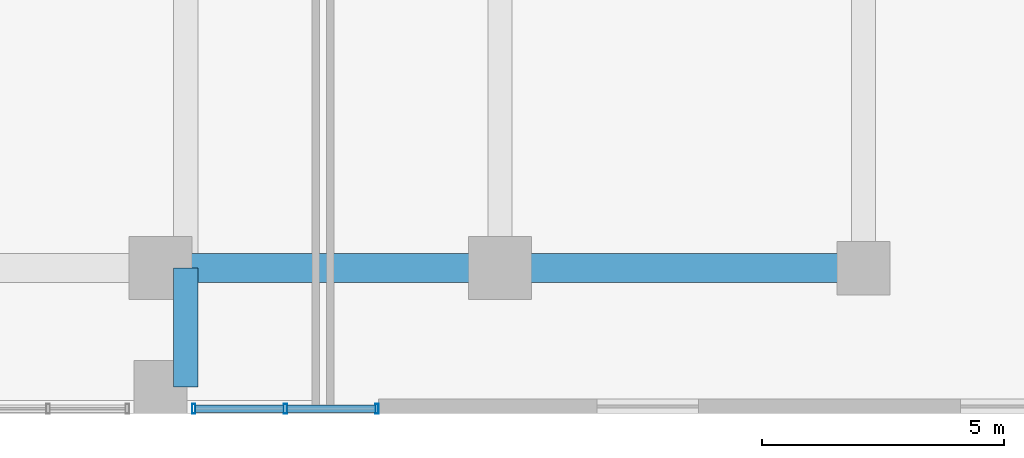
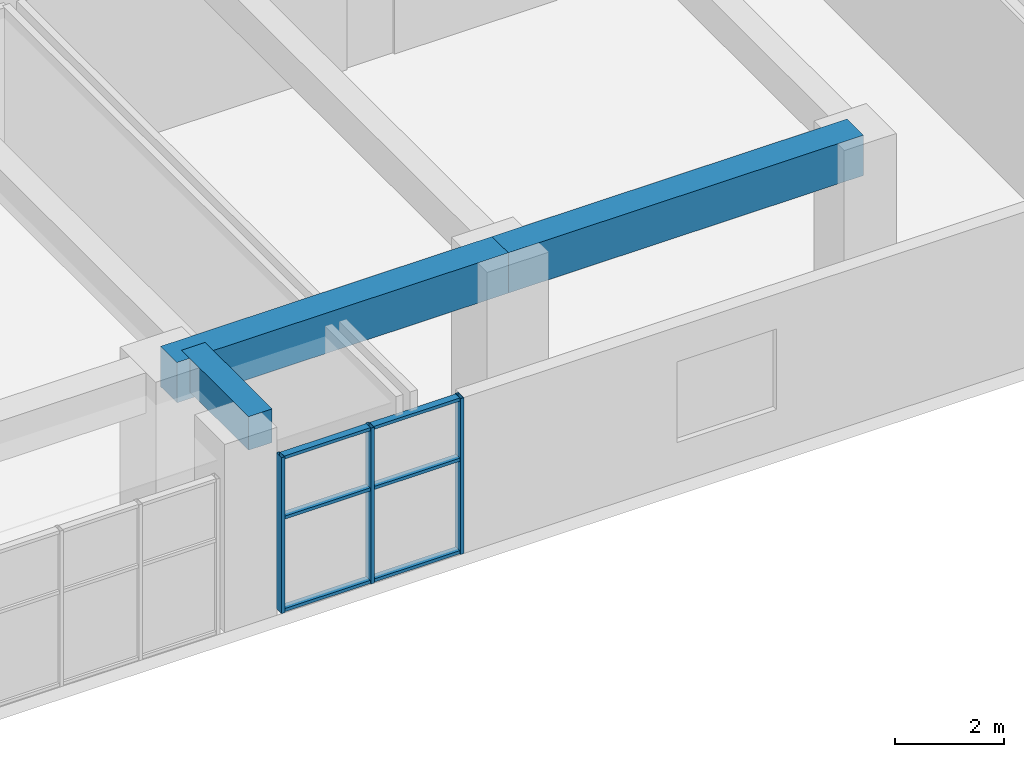
# One storey, part 6 of 24: 9 members, 3 beams, 1 element without a shape of its own.
"""IFC4 building model written with IfcOpenShell, lengths in metres."""

import ifcopenshell
import ifcopenshell.guid

model = None  # the IFC model being written
_history = None  # IfcOwnerHistory: only IFC2X3 demands one
_inside = {}  # id of a spatial element -> (the spatial element, [elements in it])
_under = {}  # id of a project, library or spatial element -> (it, [spatial elements below it])
_declared = {}  # id of a project -> (the project, [libraries it declares])
_typed = {}  # id of a type object -> (the type object, [elements of that type])
_made_of = {}  # id of a material, layer set ... -> (it, [elements and type objects made of it])


def new_model(schema):
    """Start an empty IFC model of exactly this schema.

    Asked for "IFC4X3", IfcOpenShell would pick the latest addendum, in which some entities
    have other attributes; the version numbers below select the first issue.
    IFC2X3 requires an IfcOwnerHistory on every rooted entity: one is made here for all.
    """
    global model, _history
    if schema == "IFC4X3":
        model = ifcopenshell.file(schema_version=(4, 3, 0, 0))
    else:
        model = ifcopenshell.file(schema=schema)
    _inside.clear()
    _under.clear()
    _declared.clear()
    _typed.clear()
    _made_of.clear()
    _history = None
    if model.schema == "IFC2X3":
        org = make("IfcOrganization", Name="unknown")
        user = make(
            "IfcPersonAndOrganization",
            ThePerson=make("IfcPerson", FamilyName="unknown"),
            TheOrganization=org,
        )
        app = make(
            "IfcApplication",
            ApplicationDeveloper=org,
            Version="unknown",
            ApplicationFullName="unknown",
            ApplicationIdentifier="unknown",
        )
        _history = make(
            "IfcOwnerHistory",
            OwningUser=user,
            OwningApplication=app,
            ChangeAction="ADDED",
            CreationDate=0,
        )
    return model


def make(cls, **values):
    """One entity of the class cls with the attributes given. An attribute that is None is left unset."""
    return model.create_entity(
        cls, **{name: value for name, value in values.items() if value is not None}
    )


def rooted(cls, **values):
    """An entity with a GlobalId (a new one), such as an element, a storey or a relation."""
    return make(cls, GlobalId=ifcopenshell.guid.new(), OwnerHistory=_history, **values)


def si_unit(unit_type, name, prefix=None):
    """IfcSIUnit, for example si_unit("LENGTHUNIT", "METRE", prefix="MILLI")."""
    return make("IfcSIUnit", UnitType=unit_type, Prefix=prefix, Name=name)


def assignment(units):
    """IfcUnitAssignment: the units of a project."""
    return None if units is None else make("IfcUnitAssignment", Units=units)


def point(xyz):
    """IfcCartesianPoint."""
    return None if xyz is None else make("IfcCartesianPoint", Coordinates=xyz)


def direction(xyz):
    """IfcDirection."""
    return None if xyz is None else make("IfcDirection", DirectionRatios=xyz)


def frame(location, z_axis=None, x_axis=None):
    """IfcAxis2Placement3D, a coordinate frame: its origin and axes. An axis left out is left unset."""
    return make(
        "IfcAxis2Placement3D",
        Location=point(location),
        Axis=direction(z_axis),
        RefDirection=direction(x_axis),
    )


def frame_2d(location, x_axis=None):
    """IfcAxis2Placement2D, a coordinate frame in the plane: its origin and x axis."""
    return make(
        "IfcAxis2Placement2D", Location=point(location), RefDirection=direction(x_axis)
    )


def origin():
    """The frame at (0, 0, 0) with its axes left unset."""
    return frame((0.0, 0.0, 0.0))


def origin_2d():
    """The frame at (0, 0) in the plane with its x axis left unset."""
    return frame_2d((0.0, 0.0))


def place(relative_to, where):
    """IfcLocalPlacement: puts the frame where relative to a parent placement (None: the world)."""
    return make(
        "IfcLocalPlacement", PlacementRelTo=relative_to, RelativePlacement=where
    )


def context(
    kind, dimensions, precision=None, world=None, true_north=None, identifier=None
):
    """IfcGeometricRepresentationContext, for example the 3D "Model" context."""
    return make(
        "IfcGeometricRepresentationContext",
        ContextIdentifier=identifier,
        ContextType=kind,
        CoordinateSpaceDimension=dimensions,
        Precision=precision,
        WorldCoordinateSystem=world,
        TrueNorth=true_north,
    )


def subcontext(parent, identifier, kind, view, scale=None):
    """IfcGeometricRepresentationSubContext, for example "Body" below "Model"."""
    return make(
        "IfcGeometricRepresentationSubContext",
        ContextIdentifier=identifier,
        ContextType=kind,
        ParentContext=parent,
        TargetScale=scale,
        TargetView=view,
    )


def project(units=None, contexts=None):
    """IfcProject with its units and contexts."""
    return rooted(
        "IfcProject",
        Name="project",
        RepresentationContexts=contexts,
        UnitsInContext=assignment(units),
    )


def spatial(cls, under=None, at=None, **own):
    """A site, building, storey or space (cls), placed at a placement, below another one or the project."""
    s = rooted(cls, ObjectPlacement=at, **own)
    if under is not None:
        _under.setdefault(under.id(), (under, []))[1].append(s)
    return s


def profile(cls, at=None, kind="AREA", **sizes):
    """A parametric profile (cls). Its sizes go by their IFC names, for example OverallWidth=200.0."""
    return make(cls, ProfileType=kind, Position=at, **sizes)


def rectangle(**sizes):
    """IfcRectangleProfileDef."""
    return profile("IfcRectangleProfileDef", **sizes)


def hollow_rectangle(**sizes):
    """IfcRectangleHollowProfileDef."""
    return profile("IfcRectangleHollowProfileDef", **sizes)


def extrude(swept, where, along, depth):
    """IfcExtrudedAreaSolid: the profile swept, set in the frame where, extruded along a direction by depth."""
    return make(
        "IfcExtrudedAreaSolid",
        SweptArea=swept,
        Position=where,
        ExtrudedDirection=direction(along),
        Depth=depth,
    )


def shape(context_of_items, identifier, shape_type, items):
    """IfcShapeRepresentation: the items that make up one representation, for example the "Body"."""
    return make(
        "IfcShapeRepresentation",
        ContextOfItems=context_of_items,
        RepresentationIdentifier=identifier,
        RepresentationType=shape_type,
        Items=items,
    )


def source(mapping_origin, context_of_items, identifier, shape_type, items):
    """IfcRepresentationMap: a shape defined once, which mapped items show again and again."""
    return make(
        "IfcRepresentationMap",
        MappingOrigin=mapping_origin,
        MappedRepresentation=shape(context_of_items, identifier, shape_type, items),
    )


def transform(
    local_origin,
    x_axis=None,
    y_axis=None,
    z_axis=None,
    scale=None,
    scale2=None,
    scale3=None,
    uniform=True,
):
    """IfcCartesianTransformationOperator3D, or its non-uniform kind. x_axis, y_axis, z_axis: its Axis1, 2, 3."""
    if uniform:
        return make(
            "IfcCartesianTransformationOperator3D",
            Axis1=direction(x_axis),
            Axis2=direction(y_axis),
            LocalOrigin=point(local_origin),
            Scale=scale,
            Axis3=direction(z_axis),
        )
    return make(
        "IfcCartesianTransformationOperator3DnonUniform",
        Axis1=direction(x_axis),
        Axis2=direction(y_axis),
        LocalOrigin=point(local_origin),
        Scale=scale,
        Axis3=direction(z_axis),
        Scale2=scale2,
        Scale3=scale3,
    )


def mapped(mapping_source, mapping_target):
    """IfcMappedItem: shows the shape of a source again, moved by a transform."""
    return make(
        "IfcMappedItem", MappingSource=mapping_source, MappingTarget=mapping_target
    )


def material(Name=None, Category=None):
    """IfcMaterial."""
    return make("IfcMaterial", Name=Name, Category=Category)


def layer(
    of_material, thickness, ventilated=None, Name=None, Category=None, Priority=None
):
    """IfcMaterialLayer: one layer of a wall or slab, of a material (None: an air gap)."""
    return make(
        "IfcMaterialLayer",
        Material=of_material,
        LayerThickness=thickness,
        IsVentilated=ventilated,
        Name=Name,
        Category=Category,
        Priority=Priority,
    )


def layer_set(layers, Name=None):
    """IfcMaterialLayerSet."""
    return make("IfcMaterialLayerSet", MaterialLayers=layers, LayerSetName=Name)


def material_profile(
    of_material, cross_section, Name=None, Category=None, Priority=None
):
    """IfcMaterialProfile: a cross section and its material."""
    return make(
        "IfcMaterialProfile",
        Name=Name,
        Material=of_material,
        Profile=cross_section,
        Priority=Priority,
        Category=Category,
    )


def profile_set(profiles, Name=None, composite=None):
    """IfcMaterialProfileSet."""
    return make(
        "IfcMaterialProfileSet",
        Name=Name,
        MaterialProfiles=profiles,
        CompositeProfile=composite,
    )


def made_of(thing, what):
    """Note that an element or type object is made of a material, layer set ...; save() writes the relation."""
    if what is not None:
        _made_of.setdefault(what.id(), (what, []))[1].append(thing)
    return thing


def type_object(cls, material=None, **own):
    """A type object (cls), such as IfcWallType, which elements share."""
    return made_of(rooted(cls, **own), material)


def element(
    cls,
    number,
    at=None,
    inside=None,
    cuts=None,
    type_object=None,
    material=None,
    context=None,
    identifier="Body",
    shape_type=None,
    held_by="IfcProductDefinitionShape",
    body=None,
    shapes=None,
    **own,
):
    """One element of the class cls, such as IfcWall. Its Tag is "e" and its number.

    at: its placement. inside: the storey or other place that contains it. cuts: it is an
    opening in that element (IfcRelVoidsElement). A single representation is given by context,
    identifier, shape_type and body (its items); several are given by shapes. held_by: the class
    of the entity that holds the representations. save() writes the other relations.
    """
    e = rooted(cls, Tag="e%d" % number, ObjectPlacement=at, **own)
    if body is not None:
        shapes = [shape(context, identifier, shape_type, body)]
    if shapes is not None:
        e.Representation = make(held_by, Representations=shapes)
    if inside is not None:
        _inside.setdefault(inside.id(), (inside, []))[1].append(e)
    if cuts is not None:
        rooted(
            "IfcRelVoidsElement", RelatingBuildingElement=cuts, RelatedOpeningElement=e
        )
    if type_object is not None:
        _typed.setdefault(type_object.id(), (type_object, []))[1].append(e)
    return made_of(e, material)


def aggregate(whole, parts):
    """IfcRelAggregates: a whole, such as a stair, and the parts it consists of."""
    return rooted("IfcRelAggregates", RelatingObject=whole, RelatedObjects=parts)


def save(model, path):
    """Write the relations noted so far, then the file.

    IfcRelAggregates (storeys below a building ...), IfcRelContainedInSpatialStructure (elements
    in a storey), IfcRelDefinesByType, IfcRelAssociatesMaterial and IfcRelDeclares: one each for
    every whole, place, type object, material and project.
    """
    for whole, parts in _under.values():
        aggregate(whole, parts)
    for where, things in _inside.values():
        rooted(
            "IfcRelContainedInSpatialStructure",
            RelatedElements=things,
            RelatingStructure=where,
        )
    for kind, things in _typed.values():
        rooted("IfcRelDefinesByType", RelatedObjects=things, RelatingType=kind)
    for what, things in _made_of.values():
        rooted("IfcRelAssociatesMaterial", RelatedObjects=things, RelatingMaterial=what)
    for by, libraries in _declared.values():
        rooted("IfcRelDeclares", RelatingContext=by, RelatedDefinitions=libraries)
    model.write(path)


model = new_model("IFC4")

# Units and contexts
model_context = context("Model", 3, precision=1e-05, world=origin(), true_north=direction((0.0, 1.0)))
body_context = subcontext(model_context, "Body", "Model", "MODEL_VIEW")
ifc_project = project(units=[si_unit("LENGTHUNIT", "METRE"), si_unit("AREAUNIT", "SQUARE_METRE"), si_unit("VOLUMEUNIT", "CUBIC_METRE"), si_unit("PLANEANGLEUNIT", "RADIAN"), si_unit("MASSUNIT", "GRAM", prefix="KILO")], contexts=[model_context])

# Site, building, storey
site_placement = place(None, origin())
site = spatial("IfcSite", under=ifc_project, at=site_placement, CompositionType="ELEMENT")
building_placement = place(site_placement, origin())
building = spatial("IfcBuilding", under=site, at=building_placement, Name="Saelheon Loggia Tower", CompositionType="ELEMENT")
storey_placement = place(building_placement, origin())
storey = spatial("IfcBuildingStorey", under=building, at=storey_placement, Name="L00", CompositionType="ELEMENT", Elevation=0.0)

# Beams
ifc_material_1 = material(Name="Concrete C50/60", Category="concrete")
ifc_material_profile_1 = material_profile(ifc_material_1, rectangle(XDim=0.60009765625, YDim=0.89990234375, at=origin_2d()), Name="RC-600x900")
ifc_profile_set_1 = profile_set([ifc_material_profile_1], Name="Concrete C50/60")
beam_type_1 = type_object("IfcBeamType", Name="Beam_MainGirder_RC600x900", PredefinedType="BEAM", material=ifc_profile_set_1)
shared_shape_1 = source(origin(), body_context, "Body", "SweptSolid", [
    extrude(rectangle(XDim=0.60009765625, YDim=0.89990234375, at=origin_2d()), origin(), (0.0, 0.0, 1.0), 7.5),
])
beam_1_placement = place(storey_placement, frame((51.5, 3.0, 3.75), z_axis=(1.0, 0.0, 0.0), x_axis=(0.0, 1.0, 0.0)))
element("IfcBeam", 1, at=beam_1_placement, inside=storey, type_object=beam_type_1, Name="BM-L00-EW-3-7", PredefinedType="BEAM", context=body_context, shape_type="MappedRepresentation", body=[
    mapped(shared_shape_1, transform((0.0, 0.0, 0.0), scale=1.0)),
])
shared_shape_2 = source(origin(), body_context, "Body", "SweptSolid", [
    extrude(rectangle(XDim=0.60009765625, YDim=0.89990234375, at=origin_2d()), origin(), (0.0, 0.0, 1.0), 7.0),
])
beam_2_placement = place(storey_placement, frame((44.5, 3.0, 3.75), z_axis=(1.0, 0.0, 0.0), x_axis=(0.0, 1.0, 0.0)))
element("IfcBeam", 2, at=beam_2_placement, inside=storey, type_object=beam_type_1, Name="BM-L00-EW-3-6", PredefinedType="BEAM", context=body_context, shape_type="MappedRepresentation", body=[
    mapped(shared_shape_2, transform((0.0, 0.0, 0.0), scale=1.0)),
])
ifc_material_2 = material(Name="Concrete C45/55", Category="concrete")
ifc_material_profile_2 = material_profile(ifc_material_2, rectangle(XDim=0.5, YDim=0.75, at=origin_2d()), Name="RC-500x750")
ifc_profile_set_2 = profile_set([ifc_material_profile_2], Name="Concrete C45/55")
beam_type_2 = type_object("IfcBeamType", Name="Beam_FloorGirder_RC500x750", PredefinedType="BEAM", material=ifc_profile_set_2)
shared_shape_3 = source(origin(), body_context, "Body", "SweptSolid", [
    extrude(rectangle(XDim=0.5, YDim=0.75, at=origin_2d()), origin(), (0.0, 0.0, 1.0), 2.449951171875),
])
beam_3_placement = place(storey_placement, frame((45.02001953125, 0.550048828125, 3.824951171875), z_axis=(0.0, 1.0, 0.0), x_axis=(-1.0, 0.0, 0.0)))
element("IfcBeam", 3, at=beam_3_placement, inside=storey, type_object=beam_type_2, Name="BM-L00-NS-45-1", PredefinedType="BEAM", context=body_context, shape_type="MappedRepresentation", body=[
    mapped(shared_shape_3, transform((0.0, 0.0, 0.0), scale=1.0)),
])

# Curtain wall, members
ifc_material_3 = material(Name="Aluminium 6063-T6 and Laminated Low-E Glass", Category="aluminium")
ifc_layer = layer(ifc_material_3, 0.199951171875)
ifc_layer_set = layer_set([ifc_layer], Name="Aluminium 6063-T6 and Laminated Low-E Glass")
curtain_wall_type = type_object("IfcCurtainWallType", Name="CW_PodiumEntry", PredefinedType="NOTDEFINED", material=ifc_layer_set)
curtain_wall_placement = place(storey_placement, origin())
curtain_wall = element("IfcCurtainWall", 4, at=curtain_wall_placement, inside=storey, type_object=curtain_wall_type, Name="L00 Outpatient Main Entry Curtain Wall 3", PredefinedType="NOTDEFINED")
ifc_material_4 = material(Name="Anodised Aluminium 6063-T6", Category="aluminium")
ifc_material_profile_3 = material_profile(ifc_material_4, hollow_rectangle(XDim=0.070068359375, YDim=0.199951171875, WallThickness=0.0048828125, at=origin_2d()), Name="RHS-200x70x5")
ifc_profile_set_3 = profile_set([ifc_material_profile_3], Name="Anodised Aluminium 6063-T6")
member_type_1 = type_object("IfcMemberType", Name="CW_PodiumEntry_Mullion", PredefinedType="MULLION", material=ifc_profile_set_3)
shared_shape_4 = source(origin(), body_context, "Body", "SweptSolid", [
    extrude(hollow_rectangle(XDim=0.070068359375, YDim=0.199951171875, WallThickness=0.0048828125, at=origin_2d()), origin(), (0.0, 0.0, 1.0), 3.47998046875),
])
member_1_placement = place(storey_placement, frame((45.18505859375, 0.10009765625, 0.0), z_axis=(0.0, 0.0, 1.0), x_axis=(1.0, 0.0, 0.0)))
member_1 = element("IfcMember", 5, at=member_1_placement, type_object=member_type_1, Name="CW2 mullion 1", PredefinedType="MULLION", context=body_context, shape_type="MappedRepresentation", body=[
    mapped(shared_shape_4, transform((0.0, 0.0, 0.0), scale=1.0)),
])
member_2_placement = place(storey_placement, frame((47.074951171875, 0.10009765625, 0.0), z_axis=(0.0, 0.0, 1.0), x_axis=(1.0, 0.0, 0.0)))
member_2 = element("IfcMember", 6, at=member_2_placement, type_object=member_type_1, Name="CW2 mullion 2", PredefinedType="MULLION", context=body_context, shape_type="MappedRepresentation", body=[
    mapped(shared_shape_4, transform((0.0, 0.0, 0.0), scale=1.0)),
])
member_3_placement = place(storey_placement, frame((48.965087890625, 0.10009765625, 0.0), z_axis=(0.0, 0.0, 1.0), x_axis=(1.0, 0.0, 0.0)))
member_3 = element("IfcMember", 7, at=member_3_placement, type_object=member_type_1, Name="CW2 mullion 3", PredefinedType="MULLION", context=body_context, shape_type="MappedRepresentation", body=[
    mapped(shared_shape_4, transform((0.0, 0.0, 0.0), scale=1.0)),
])
ifc_material_profile_4 = material_profile(ifc_material_4, hollow_rectangle(XDim=0.070068359375, YDim=0.14990234375, WallThickness=0.0048828125, at=origin_2d()), Name="RHS-150x70x5")
ifc_profile_set_4 = profile_set([ifc_material_profile_4], Name="Anodised Aluminium 6063-T6")
member_type_2 = type_object("IfcMemberType", Name="CW_PodiumEntry_Transom", PredefinedType="USERDEFINED", material=ifc_profile_set_4)
shared_shape_5 = source(origin(), body_context, "Body", "SweptSolid", [
    extrude(hollow_rectangle(XDim=0.070068359375, YDim=0.14990234375, WallThickness=0.0048828125, at=origin_2d()), origin(), (0.0, 0.0, 1.0), 1.81982421875),
])
member_4_placement = place(storey_placement, frame((47.110107421875, 0.10009765625, 0.034912109375), z_axis=(1.0, 0.0, 0.0), x_axis=(0.0, 0.0, 1.0)))
member_4 = element("IfcMember", 8, at=member_4_placement, type_object=member_type_2, Name="CW2 transom 2.1", ObjectType="TRANSOM", PredefinedType="USERDEFINED", context=body_context, shape_type="MappedRepresentation", body=[
    mapped(shared_shape_5, transform((0.0, 0.0, 0.0), scale=1.0)),
])
member_5_placement = place(storey_placement, frame((47.110107421875, 0.10009765625, 2.10009765625), z_axis=(1.0, 0.0, 0.0), x_axis=(0.0, 0.0, 1.0)))
member_5 = element("IfcMember", 9, at=member_5_placement, type_object=member_type_2, Name="CW2 transom 2.2", ObjectType="TRANSOM", PredefinedType="USERDEFINED", context=body_context, shape_type="MappedRepresentation", body=[
    mapped(shared_shape_5, transform((0.0, 0.0, 0.0), scale=1.0)),
])
member_6_placement = place(storey_placement, frame((47.110107421875, 0.10009765625, 3.445068359375), z_axis=(1.0, 0.0, 0.0), x_axis=(0.0, 0.0, 1.0)))
member_6 = element("IfcMember", 10, at=member_6_placement, type_object=member_type_2, Name="CW2 transom 2.3", ObjectType="TRANSOM", PredefinedType="USERDEFINED", context=body_context, shape_type="MappedRepresentation", body=[
    mapped(shared_shape_5, transform((0.0, 0.0, 0.0), scale=1.0)),
])
shared_shape_6 = source(origin(), body_context, "Body", "SweptSolid", [
    extrude(hollow_rectangle(XDim=0.070068359375, YDim=0.14990234375, WallThickness=0.0048828125, at=origin_2d()), origin(), (0.0, 0.0, 1.0), 1.820068359375),
])
member_7_placement = place(storey_placement, frame((45.219970703125, 0.10009765625, 0.034912109375), z_axis=(1.0, 0.0, 0.0), x_axis=(0.0, 0.0, 1.0)))
member_7 = element("IfcMember", 11, at=member_7_placement, type_object=member_type_2, Name="CW2 transom 1.1", ObjectType="TRANSOM", PredefinedType="USERDEFINED", context=body_context, shape_type="MappedRepresentation", body=[
    mapped(shared_shape_6, transform((0.0, 0.0, 0.0), scale=1.0)),
])
member_8_placement = place(storey_placement, frame((45.219970703125, 0.10009765625, 2.10009765625), z_axis=(1.0, 0.0, 0.0), x_axis=(0.0, 0.0, 1.0)))
member_8 = element("IfcMember", 12, at=member_8_placement, type_object=member_type_2, Name="CW2 transom 1.2", ObjectType="TRANSOM", PredefinedType="USERDEFINED", context=body_context, shape_type="MappedRepresentation", body=[
    mapped(shared_shape_6, transform((0.0, 0.0, 0.0), scale=1.0)),
])
member_9_placement = place(storey_placement, frame((45.219970703125, 0.10009765625, 3.445068359375), z_axis=(1.0, 0.0, 0.0), x_axis=(0.0, 0.0, 1.0)))
member_9 = element("IfcMember", 13, at=member_9_placement, type_object=member_type_2, Name="CW2 transom 1.3", ObjectType="TRANSOM", PredefinedType="USERDEFINED", context=body_context, shape_type="MappedRepresentation", body=[
    mapped(shared_shape_6, transform((0.0, 0.0, 0.0), scale=1.0)),
])
aggregate(curtain_wall, [member_1, member_2, member_3, member_7, member_8, member_9, member_4, member_5, member_6])

save(model, "model.ifc")
